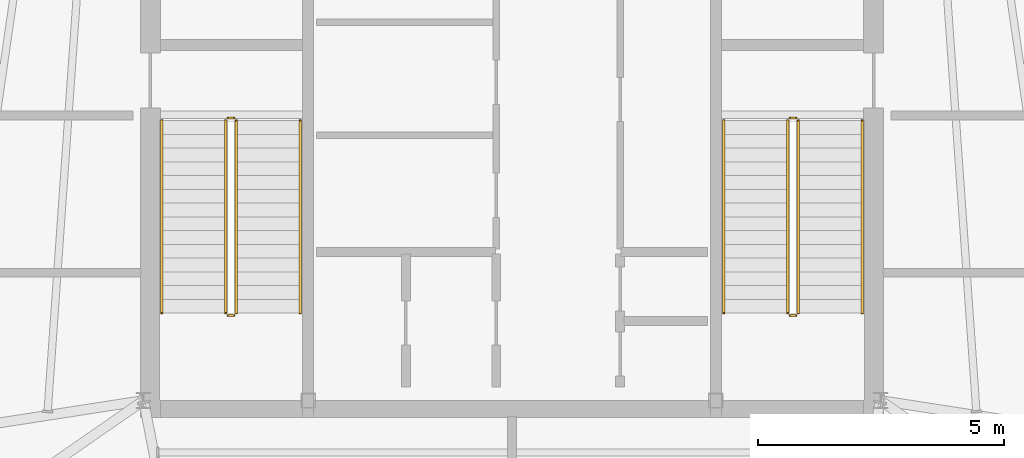
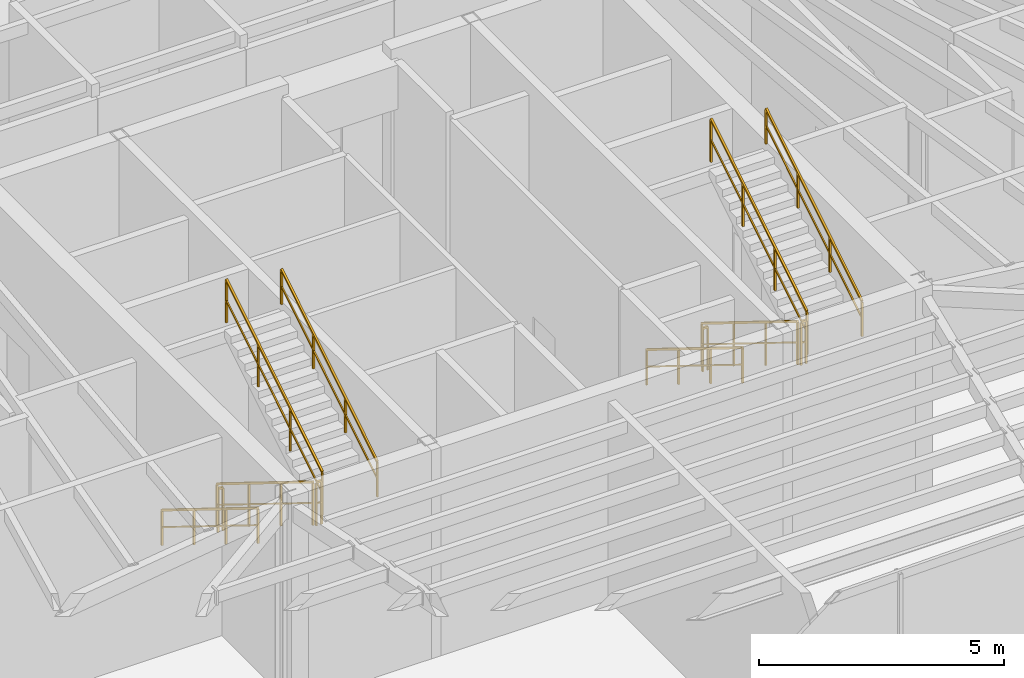
# One storey, part 25 of 25: 12 railings.
"""IFC4 building model written with IfcOpenShell, lengths in metres."""

from ifc_helpers import new_model, si_unit, direction, frame, origin, origin_2d, place, context, subcontext, project, spatial, rectangle, extrude, material, layer, layer_set, type_object, element, save


model = new_model("IFC4")

# Units and contexts
model_context = context("Model", 3, precision=1e-05, world=origin(), true_north=direction((0.0, 1.0)))
body_context = subcontext(model_context, "Body", "Model", "MODEL_VIEW")
ifc_project = project(units=[si_unit("LENGTHUNIT", "METRE"), si_unit("AREAUNIT", "SQUARE_METRE"), si_unit("VOLUMEUNIT", "CUBIC_METRE"), si_unit("PLANEANGLEUNIT", "RADIAN"), si_unit("MASSUNIT", "GRAM", prefix="KILO")], contexts=[model_context])

# Site, building, storey
site_placement = place(None, origin())
site = spatial("IfcSite", under=ifc_project, at=site_placement, CompositionType="ELEMENT")
building_placement = place(site_placement, origin())
building = spatial("IfcBuilding", under=site, at=building_placement, Name="Caelisora Broadcast Tower", CompositionType="ELEMENT")
storey_placement = place(building_placement, frame((0.0, 0.0, 284.60009765625)))
storey = spatial("IfcBuildingStorey", under=building, at=storey_placement, Name="L75", CompositionType="ELEMENT", Elevation=284.60009765625)

# Railings
ifc_material_1 = material(Name="Galvanised Steel Safety Guardrail", Category="steel")
ifc_layer_1 = layer(ifc_material_1, 0.048095703125, Name="Galvanised Steel Safety Guardrail")
ifc_layer_set_1 = layer_set([ifc_layer_1], Name="Galvanised Steel Safety Guardrail")
railing_type_1 = type_object("IfcRailingType", Name="GR-1", PredefinedType="GUARDRAIL", material=ifc_layer_set_1)
railing_1_placement = place(storey_placement, frame((32.169921875, 23.10009765625, 0.17333984375)))
element("IfcRailing", 1, at=railing_1_placement, inside=storey, type_object=railing_type_1, Name="L75 ST-1 stair guard 1", PredefinedType="GUARDRAIL", context=body_context, shape_type="SweptSolid", body=[
    extrude(rectangle(XDim=0.048095703125, YDim=0.048095703125, at=origin_2d()), frame((0.0, 0.0, 1.076171875), z_axis=(0.0, -0.850289973577, 0.526314507528), x_axis=(1.0, 0.0, 0.0)), (0.0, 0.0, 1.0), 4.6103515625),
    extrude(rectangle(XDim=0.03125, YDim=0.03125, at=origin_2d()), frame((0.0, 0.0, 0.550048828125), z_axis=(0.0, -0.850289973577, 0.526314507528), x_axis=(1.0, 0.0, 0.0)), (0.0, 0.0, 1.0), 4.6103515625),
    extrude(rectangle(XDim=0.0419921875, YDim=0.0419921875, at=origin_2d()), origin(), (0.0, 0.0, 1.0), 1.052001953125),
    extrude(rectangle(XDim=0.0419921875, YDim=0.0419921875, at=origin_2d()), frame((0.0, -1.306640625, 0.808837890625)), (0.0, 0.0, 1.0), 1.052001953125),
    extrude(rectangle(XDim=0.0419921875, YDim=0.0419921875, at=origin_2d()), frame((0.0, -2.613525390625, 1.61767578125)), (0.0, 0.0, 1.0), 1.052001953125),
    extrude(rectangle(XDim=0.0419921875, YDim=0.0419921875, at=origin_2d()), frame((0.0, -3.920166015625, 2.426513671875)), (0.0, 0.0, 1.0), 1.052001953125),
])
railing_2_placement = place(storey_placement, frame((32.219970703125, 19.1298828125, 2.599853515625)))
element("IfcRailing", 2, at=railing_2_placement, inside=storey, type_object=railing_type_1, Name="L75 ST-1 stair guard 2", PredefinedType="GUARDRAIL", context=body_context, shape_type="SweptSolid", body=[
    extrude(rectangle(XDim=0.048095703125, YDim=0.048095703125, at=origin_2d()), frame((0.0, 0.0, 1.076171875), z_axis=(1.0, 0.0, 0.0), x_axis=(0.0, 1.0, 0.0)), (0.0, 0.0, 1.0), 0.1201171875),
    extrude(rectangle(XDim=0.03125, YDim=0.03125, at=origin_2d()), frame((0.0, 0.0, 0.550048828125), z_axis=(1.0, 0.0, 0.0), x_axis=(0.0, 1.0, 0.0)), (0.0, 0.0, 1.0), 0.1201171875),
    extrude(rectangle(XDim=0.0419921875, YDim=0.0419921875, at=origin_2d()), origin(), (0.0, 0.0, 1.0), 1.052001953125),
    extrude(rectangle(XDim=0.0419921875, YDim=0.0419921875, at=origin_2d()), frame((0.1201171875, 0.0, 0.0)), (0.0, 0.0, 1.0), 1.052001953125),
])
railing_3_placement = place(storey_placement, frame((32.389892578125, 19.179931640625, 2.773193359375)))
element("IfcRailing", 3, at=railing_3_placement, inside=storey, type_object=railing_type_1, Name="L75 ST-1 stair guard 3", PredefinedType="GUARDRAIL", context=body_context, shape_type="SweptSolid", body=[
    extrude(rectangle(XDim=0.048095703125, YDim=0.048095703125, at=origin_2d()), frame((0.0, 0.0, 1.076171875), z_axis=(0.0, 0.850266275192, 0.526352791643), x_axis=(-1.0, 0.0, 0.0)), (0.0, 0.0, 1.0), 4.610595703125),
    extrude(rectangle(XDim=0.03125, YDim=0.03125, at=origin_2d()), frame((0.0, 0.0, 0.550048828125), z_axis=(0.0, 0.850266275192, 0.526352791643), x_axis=(-1.0, 0.0, 0.0)), (0.0, 0.0, 1.0), 4.610595703125),
    extrude(rectangle(XDim=0.0419921875, YDim=0.0419921875, at=origin_2d()), origin(), (0.0, 0.0, 1.0), 1.052001953125),
    extrude(rectangle(XDim=0.0419921875, YDim=0.0419921875, at=origin_2d()), frame((0.0, 1.306640625, 0.808837890625)), (0.0, 0.0, 1.0), 1.052001953125),
    extrude(rectangle(XDim=0.0419921875, YDim=0.0419921875, at=origin_2d()), frame((0.0, 2.613525390625, 1.617919921875)), (0.0, 0.0, 1.0), 1.052001953125),
    extrude(rectangle(XDim=0.0419921875, YDim=0.0419921875, at=origin_2d()), frame((0.0, 3.920166015625, 2.4267578125)), (0.0, 0.0, 1.0), 1.052001953125),
])
railing_4_placement = place(storey_placement, frame((32.219970703125, 23.14990234375, 0.0)))
element("IfcRailing", 4, at=railing_4_placement, inside=storey, type_object=railing_type_1, Name="L75 ST-1 stair guard 4", PredefinedType="GUARDRAIL", context=body_context, shape_type="SweptSolid", body=[
    extrude(rectangle(XDim=0.048095703125, YDim=0.048095703125, at=origin_2d()), frame((0.0, 0.0, 1.076171875), z_axis=(1.0, 0.0, 0.0), x_axis=(0.0, 1.0, 0.0)), (0.0, 0.0, 1.0), 0.1201171875),
    extrude(rectangle(XDim=0.03125, YDim=0.03125, at=origin_2d()), frame((0.0, 0.0, 0.550048828125), z_axis=(1.0, 0.0, 0.0), x_axis=(0.0, 1.0, 0.0)), (0.0, 0.0, 1.0), 0.1201171875),
    extrude(rectangle(XDim=0.0419921875, YDim=0.0419921875, at=origin_2d()), origin(), (0.0, 0.0, 1.0), 1.052001953125),
    extrude(rectangle(XDim=0.0419921875, YDim=0.0419921875, at=origin_2d()), frame((0.1201171875, 0.0, 0.0)), (0.0, 0.0, 1.0), 1.052001953125),
])
railing_5_placement = place(storey_placement, frame((43.610107421875, 23.10009765625, 0.17333984375)))
element("IfcRailing", 5, at=railing_5_placement, inside=storey, type_object=railing_type_1, Name="L75 ST-2 stair guard 1", PredefinedType="GUARDRAIL", context=body_context, shape_type="SweptSolid", body=[
    extrude(rectangle(XDim=0.048095703125, YDim=0.048095703125, at=origin_2d()), frame((0.0, 0.0, 1.076171875), z_axis=(0.0, -0.850289973577, 0.526314507528), x_axis=(1.0, 0.0, 0.0)), (0.0, 0.0, 1.0), 4.6103515625),
    extrude(rectangle(XDim=0.03125, YDim=0.03125, at=origin_2d()), frame((0.0, 0.0, 0.550048828125), z_axis=(0.0, -0.850289973577, 0.526314507528), x_axis=(1.0, 0.0, 0.0)), (0.0, 0.0, 1.0), 4.6103515625),
    extrude(rectangle(XDim=0.0419921875, YDim=0.0419921875, at=origin_2d()), origin(), (0.0, 0.0, 1.0), 1.052001953125),
    extrude(rectangle(XDim=0.0419921875, YDim=0.0419921875, at=origin_2d()), frame((0.0, -1.306640625, 0.808837890625)), (0.0, 0.0, 1.0), 1.052001953125),
    extrude(rectangle(XDim=0.0419921875, YDim=0.0419921875, at=origin_2d()), frame((0.0, -2.613525390625, 1.61767578125)), (0.0, 0.0, 1.0), 1.052001953125),
    extrude(rectangle(XDim=0.0419921875, YDim=0.0419921875, at=origin_2d()), frame((0.0, -3.920166015625, 2.426513671875)), (0.0, 0.0, 1.0), 1.052001953125),
])
railing_6_placement = place(storey_placement, frame((43.659912109375, 19.1298828125, 2.599853515625)))
element("IfcRailing", 6, at=railing_6_placement, inside=storey, type_object=railing_type_1, Name="L75 ST-2 stair guard 2", PredefinedType="GUARDRAIL", context=body_context, shape_type="SweptSolid", body=[
    extrude(rectangle(XDim=0.048095703125, YDim=0.048095703125, at=origin_2d()), frame((0.0, 0.0, 1.076171875), z_axis=(1.0, 0.0, 0.0), x_axis=(0.0, 1.0, 0.0)), (0.0, 0.0, 1.0), 0.1201171875),
    extrude(rectangle(XDim=0.03125, YDim=0.03125, at=origin_2d()), frame((0.0, 0.0, 0.550048828125), z_axis=(1.0, 0.0, 0.0), x_axis=(0.0, 1.0, 0.0)), (0.0, 0.0, 1.0), 0.1201171875),
    extrude(rectangle(XDim=0.0419921875, YDim=0.0419921875, at=origin_2d()), origin(), (0.0, 0.0, 1.0), 1.052001953125),
    extrude(rectangle(XDim=0.0419921875, YDim=0.0419921875, at=origin_2d()), frame((0.1201171875, 0.0, 0.0)), (0.0, 0.0, 1.0), 1.052001953125),
])
railing_7_placement = place(storey_placement, frame((43.830078125, 19.179931640625, 2.773193359375)))
element("IfcRailing", 7, at=railing_7_placement, inside=storey, type_object=railing_type_1, Name="L75 ST-2 stair guard 3", PredefinedType="GUARDRAIL", context=body_context, shape_type="SweptSolid", body=[
    extrude(rectangle(XDim=0.048095703125, YDim=0.048095703125, at=origin_2d()), frame((0.0, 0.0, 1.076171875), z_axis=(0.0, 0.850266275192, 0.526352791643), x_axis=(-1.0, 0.0, 0.0)), (0.0, 0.0, 1.0), 4.610595703125),
    extrude(rectangle(XDim=0.03125, YDim=0.03125, at=origin_2d()), frame((0.0, 0.0, 0.550048828125), z_axis=(0.0, 0.850266275192, 0.526352791643), x_axis=(-1.0, 0.0, 0.0)), (0.0, 0.0, 1.0), 4.610595703125),
    extrude(rectangle(XDim=0.0419921875, YDim=0.0419921875, at=origin_2d()), origin(), (0.0, 0.0, 1.0), 1.052001953125),
    extrude(rectangle(XDim=0.0419921875, YDim=0.0419921875, at=origin_2d()), frame((0.0, 1.306640625, 0.808837890625)), (0.0, 0.0, 1.0), 1.052001953125),
    extrude(rectangle(XDim=0.0419921875, YDim=0.0419921875, at=origin_2d()), frame((0.0, 2.613525390625, 1.617919921875)), (0.0, 0.0, 1.0), 1.052001953125),
    extrude(rectangle(XDim=0.0419921875, YDim=0.0419921875, at=origin_2d()), frame((0.0, 3.920166015625, 2.4267578125)), (0.0, 0.0, 1.0), 1.052001953125),
])
railing_8_placement = place(storey_placement, frame((43.659912109375, 23.14990234375, 0.0)))
element("IfcRailing", 8, at=railing_8_placement, inside=storey, type_object=railing_type_1, Name="L75 ST-2 stair guard 4", PredefinedType="GUARDRAIL", context=body_context, shape_type="SweptSolid", body=[
    extrude(rectangle(XDim=0.048095703125, YDim=0.048095703125, at=origin_2d()), frame((0.0, 0.0, 1.076171875), z_axis=(1.0, 0.0, 0.0), x_axis=(0.0, 1.0, 0.0)), (0.0, 0.0, 1.0), 0.1201171875),
    extrude(rectangle(XDim=0.03125, YDim=0.03125, at=origin_2d()), frame((0.0, 0.0, 0.550048828125), z_axis=(1.0, 0.0, 0.0), x_axis=(0.0, 1.0, 0.0)), (0.0, 0.0, 1.0), 0.1201171875),
    extrude(rectangle(XDim=0.0419921875, YDim=0.0419921875, at=origin_2d()), origin(), (0.0, 0.0, 1.0), 1.052001953125),
    extrude(rectangle(XDim=0.0419921875, YDim=0.0419921875, at=origin_2d()), frame((0.1201171875, 0.0, 0.0)), (0.0, 0.0, 1.0), 1.052001953125),
])
ifc_material_2 = material(Name="Stainless Steel Grade 316 Tubular Handrail", Category="steel")
ifc_layer_2 = layer(ifc_material_2, 0.048095703125, Name="Stainless Steel Grade 316 Tubular Handrail")
ifc_layer_set_2 = layer_set([ifc_layer_2], Name="Stainless Steel Grade 316 Tubular Handrail")
railing_type_2 = type_object("IfcRailingType", Name="HR-1", PredefinedType="HANDRAIL", material=ifc_layer_set_2)
railing_9_placement = place(storey_placement, frame((30.8701171875, 23.10009765625, 0.17333984375)))
element("IfcRailing", 9, at=railing_9_placement, inside=storey, type_object=railing_type_2, Name="L75 ST-1 stair handrail 1", PredefinedType="HANDRAIL", context=body_context, shape_type="SweptSolid", body=[
    extrude(rectangle(XDim=0.048095703125, YDim=0.048095703125, at=origin_2d()), frame((0.0, 0.0, 0.8759765625), z_axis=(0.0, -0.850289973577, 0.526314507528), x_axis=(1.0, 0.0, 0.0)), (0.0, 0.0, 1.0), 4.6103515625),
    extrude(rectangle(XDim=0.03125, YDim=0.03125, at=origin_2d()), frame((0.0, 0.0, 0.449951171875), z_axis=(0.0, -0.850289973577, 0.526314507528), x_axis=(1.0, 0.0, 0.0)), (0.0, 0.0, 1.0), 4.6103515625),
    extrude(rectangle(XDim=0.0419921875, YDim=0.0419921875, at=origin_2d()), origin(), (0.0, 0.0, 1.0), 0.851806640625),
    extrude(rectangle(XDim=0.0419921875, YDim=0.0419921875, at=origin_2d()), frame((0.0, -1.306640625, 0.808837890625)), (0.0, 0.0, 1.0), 0.851806640625),
    extrude(rectangle(XDim=0.0419921875, YDim=0.0419921875, at=origin_2d()), frame((0.0, -2.613525390625, 1.61767578125)), (0.0, 0.0, 1.0), 0.851806640625),
    extrude(rectangle(XDim=0.0419921875, YDim=0.0419921875, at=origin_2d()), frame((0.0, -3.920166015625, 2.426513671875)), (0.0, 0.0, 1.0), 0.851806640625),
])
railing_10_placement = place(storey_placement, frame((33.68994140625, 19.179931640625, 2.773193359375)))
element("IfcRailing", 10, at=railing_10_placement, inside=storey, type_object=railing_type_2, Name="L75 ST-1 stair handrail 2", PredefinedType="HANDRAIL", context=body_context, shape_type="SweptSolid", body=[
    extrude(rectangle(XDim=0.048095703125, YDim=0.048095703125, at=origin_2d()), frame((0.0, 0.0, 0.8759765625), z_axis=(0.0, 0.850266275192, 0.526352791643), x_axis=(-1.0, 0.0, 0.0)), (0.0, 0.0, 1.0), 4.610595703125),
    extrude(rectangle(XDim=0.03125, YDim=0.03125, at=origin_2d()), frame((0.0, 0.0, 0.449951171875), z_axis=(0.0, 0.850266275192, 0.526352791643), x_axis=(-1.0, 0.0, 0.0)), (0.0, 0.0, 1.0), 4.610595703125),
    extrude(rectangle(XDim=0.0419921875, YDim=0.0419921875, at=origin_2d()), origin(), (0.0, 0.0, 1.0), 0.851806640625),
    extrude(rectangle(XDim=0.0419921875, YDim=0.0419921875, at=origin_2d()), frame((0.0, 1.306640625, 0.808837890625)), (0.0, 0.0, 1.0), 0.851806640625),
    extrude(rectangle(XDim=0.0419921875, YDim=0.0419921875, at=origin_2d()), frame((0.0, 2.613525390625, 1.617919921875)), (0.0, 0.0, 1.0), 0.851806640625),
    extrude(rectangle(XDim=0.0419921875, YDim=0.0419921875, at=origin_2d()), frame((0.0, 3.920166015625, 2.4267578125)), (0.0, 0.0, 1.0), 0.851806640625),
])
railing_11_placement = place(storey_placement, frame((42.31005859375, 23.10009765625, 0.17333984375)))
element("IfcRailing", 11, at=railing_11_placement, inside=storey, type_object=railing_type_2, Name="L75 ST-2 stair handrail 1", PredefinedType="HANDRAIL", context=body_context, shape_type="SweptSolid", body=[
    extrude(rectangle(XDim=0.048095703125, YDim=0.048095703125, at=origin_2d()), frame((0.0, 0.0, 0.8759765625), z_axis=(0.0, -0.850289973577, 0.526314507528), x_axis=(1.0, 0.0, 0.0)), (0.0, 0.0, 1.0), 4.6103515625),
    extrude(rectangle(XDim=0.03125, YDim=0.03125, at=origin_2d()), frame((0.0, 0.0, 0.449951171875), z_axis=(0.0, -0.850289973577, 0.526314507528), x_axis=(1.0, 0.0, 0.0)), (0.0, 0.0, 1.0), 4.6103515625),
    extrude(rectangle(XDim=0.0419921875, YDim=0.0419921875, at=origin_2d()), origin(), (0.0, 0.0, 1.0), 0.851806640625),
    extrude(rectangle(XDim=0.0419921875, YDim=0.0419921875, at=origin_2d()), frame((0.0, -1.306640625, 0.808837890625)), (0.0, 0.0, 1.0), 0.851806640625),
    extrude(rectangle(XDim=0.0419921875, YDim=0.0419921875, at=origin_2d()), frame((0.0, -2.613525390625, 1.61767578125)), (0.0, 0.0, 1.0), 0.851806640625),
    extrude(rectangle(XDim=0.0419921875, YDim=0.0419921875, at=origin_2d()), frame((0.0, -3.920166015625, 2.426513671875)), (0.0, 0.0, 1.0), 0.851806640625),
])
railing_12_placement = place(storey_placement, frame((45.1298828125, 19.179931640625, 2.773193359375)))
element("IfcRailing", 12, at=railing_12_placement, inside=storey, type_object=railing_type_2, Name="L75 ST-2 stair handrail 2", PredefinedType="HANDRAIL", context=body_context, shape_type="SweptSolid", body=[
    extrude(rectangle(XDim=0.048095703125, YDim=0.048095703125, at=origin_2d()), frame((0.0, 0.0, 0.8759765625), z_axis=(0.0, 0.850266275192, 0.526352791643), x_axis=(-1.0, 0.0, 0.0)), (0.0, 0.0, 1.0), 4.610595703125),
    extrude(rectangle(XDim=0.03125, YDim=0.03125, at=origin_2d()), frame((0.0, 0.0, 0.449951171875), z_axis=(0.0, 0.850266275192, 0.526352791643), x_axis=(-1.0, 0.0, 0.0)), (0.0, 0.0, 1.0), 4.610595703125),
    extrude(rectangle(XDim=0.0419921875, YDim=0.0419921875, at=origin_2d()), origin(), (0.0, 0.0, 1.0), 0.851806640625),
    extrude(rectangle(XDim=0.0419921875, YDim=0.0419921875, at=origin_2d()), frame((0.0, 1.306640625, 0.808837890625)), (0.0, 0.0, 1.0), 0.851806640625),
    extrude(rectangle(XDim=0.0419921875, YDim=0.0419921875, at=origin_2d()), frame((0.0, 2.613525390625, 1.617919921875)), (0.0, 0.0, 1.0), 0.851806640625),
    extrude(rectangle(XDim=0.0419921875, YDim=0.0419921875, at=origin_2d()), frame((0.0, 3.920166015625, 2.4267578125)), (0.0, 0.0, 1.0), 0.851806640625),
])

save(model, "model.ifc")
